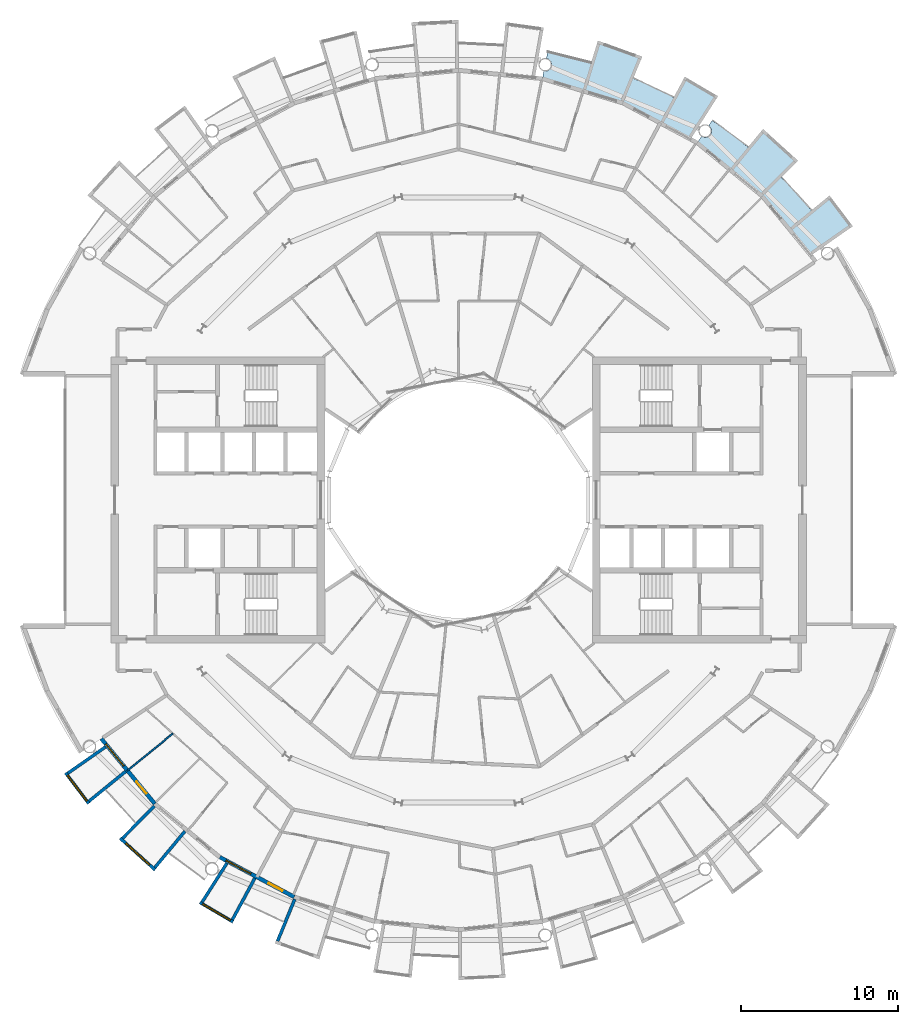
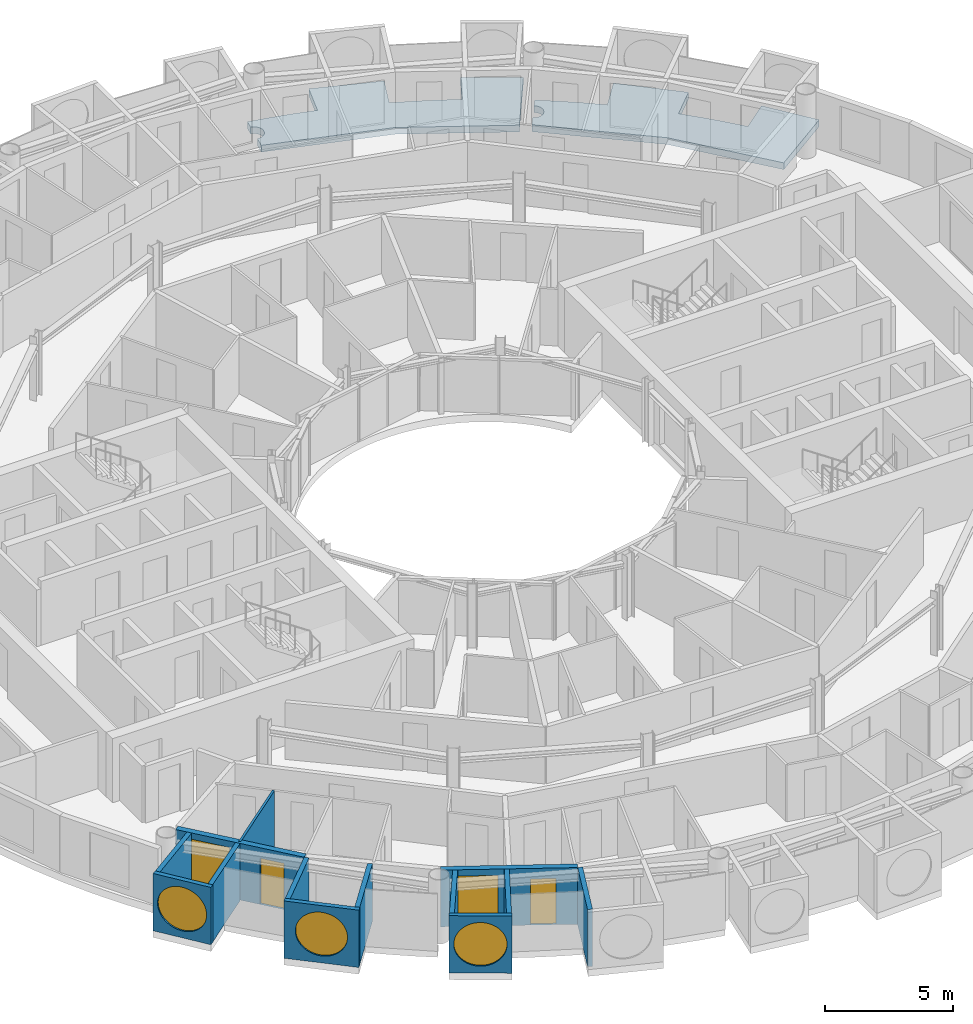
# One storey, part 13 of 27: 13 walls, 5 windows, 2 doors, 2 slabs, 7 openings.
"""IFC4 building model written with IfcOpenShell, lengths in metres."""

from ifc_helpers import new_model, si_unit, direction, frame, frame_2d, origin, place, context, subcontext, project, spatial, polyline, rectangle, circle, outline, extrude, material, layer, layer_set, type_object, element, fill, save


model = new_model("IFC4")

# Units and contexts
model_context = context("Model", 3, precision=1e-05, world=origin(), true_north=direction((0.0, 1.0)))
body_context = subcontext(model_context, "Body", "Model", "MODEL_VIEW")
ifc_project = project(units=[si_unit("LENGTHUNIT", "METRE"), si_unit("AREAUNIT", "SQUARE_METRE"), si_unit("VOLUMEUNIT", "CUBIC_METRE"), si_unit("PLANEANGLEUNIT", "RADIAN"), si_unit("MASSUNIT", "GRAM", prefix="KILO")], contexts=[model_context])

# Site, building, storey
site_placement = place(None, origin())
site = spatial("IfcSite", under=ifc_project, at=site_placement, CompositionType="ELEMENT")
building_placement = place(site_placement, origin())
building = spatial("IfcBuilding", under=site, at=building_placement, Name="Maasbend Ring Residences", CompositionType="ELEMENT")
storey_placement = place(building_placement, frame((0.0, 0.0, 151.300048828125)))
storey = spatial("IfcBuildingStorey", under=building, at=storey_placement, Name="L43", CompositionType="ELEMENT", Elevation=151.300048828125)

# Slabs
ifc_material_1 = material(Name="Concrete C40/50", Category="concrete")
ifc_layer_1 = layer(ifc_material_1, 0.199951171875)
ifc_layer_set_1 = layer_set([ifc_layer_1], Name="Concrete C40/50")
slab_type = type_object("IfcSlabType", Name="SL-LOGGIA", PredefinedType="FLOOR", material=ifc_layer_set_1)
slab_1_placement = place(storey_placement, frame((0.0, 0.0, -0.35009765625)))
element("IfcSlab", 1, at=slab_1_placement, inside=storey, type_object=slab_type, Name="Loggia floor 2", PredefinedType="FLOOR", context=body_context, shape_type="SweptSolid", body=[
    extrude(outline(polyline([(5.451904296875, 27.2548828125), (5.4619140625, 27.25390625), (5.471923828125, 27.2529296875), (5.48193359375, 27.251953125), (5.491943359375, 27.251953125), (5.501953125, 27.251953125), (5.510986328125, 27.251953125), (5.52099609375, 27.251953125), (5.531005859375, 27.2529296875), (5.541015625, 27.25390625), (5.551025390625, 27.2548828125), (5.56103515625, 27.256103515625), (5.571044921875, 27.258056640625), (5.5810546875, 27.259033203125), (5.591064453125, 27.260986328125), (5.60009765625, 27.263916015625), (5.610107421875, 27.26611328125), (5.6201171875, 27.26904296875), (5.62890625, 27.27197265625), (5.637939453125, 27.27490234375), (5.64794921875, 27.279052734375), (5.656982421875, 27.282958984375), (5.666015625, 27.285888671875), (5.675048828125, 27.291015625), (5.68408203125, 27.294921875), (5.693115234375, 27.300048828125), (5.701904296875, 27.303955078125), (5.7099609375, 27.30908203125), (5.718994140625, 27.31494140625), (5.72705078125, 27.320068359375), (5.736083984375, 27.325927734375), (5.743896484375, 27.33203125), (5.751953125, 27.337890625), (5.759033203125, 27.343994140625), (5.76708984375, 27.35009765625), (5.77392578125, 27.35693359375), (5.781982421875, 27.364013671875), (5.7890625, 27.37109375), (5.7958984375, 27.3779296875), (5.802978515625, 27.385009765625), (5.80908203125, 27.39306640625), (5.81591796875, 27.39990234375), (5.822021484375, 27.407958984375), (5.827880859375, 27.416015625), (5.833984375, 27.424072265625), (5.839111328125, 27.431884765625), (5.844970703125, 27.44091796875), (5.85009765625, 27.448974609375), (5.85498046875, 27.4580078125), (5.860107421875, 27.466064453125), (5.864990234375, 27.47509765625), (5.868896484375, 27.48388671875), (5.873046875, 27.492919921875), (5.876953125, 27.5029296875), (5.881103515625, 27.511962890625), (5.884033203125, 27.52099609375), (5.886962890625, 27.531005859375), (5.889892578125, 27.5400390625), (5.89306640625, 27.550048828125), (5.89599609375, 27.55908203125), (5.89794921875, 27.569091796875), (5.89990234375, 27.5791015625), (5.902099609375, 27.589111328125), (5.904052734375, 27.597900390625), (5.905029296875, 27.60791015625), (5.906005859375, 27.617919921875), (5.906982421875, 27.6279296875), (5.907958984375, 27.637939453125), (5.907958984375, 27.64794921875), (5.907958984375, 27.657958984375), (5.907958984375, 27.66796875), (5.907958984375, 27.677978515625), (5.906982421875, 27.68798828125), (5.906005859375, 27.697998046875), (5.905029296875, 27.7080078125), (5.904052734375, 27.718017578125), (5.902099609375, 27.72802734375), (5.89990234375, 27.737060546875), (5.89794921875, 27.7470703125), (5.89599609375, 27.757080078125), (5.89306640625, 27.76708984375), (5.889892578125, 27.77587890625), (5.886962890625, 27.785888671875), (5.884033203125, 27.794921875), (5.881103515625, 27.803955078125), (5.876953125, 27.81396484375), (5.873046875, 27.822998046875), (5.868896484375, 27.83203125), (5.864990234375, 27.841064453125), (5.860107421875, 27.85009765625), (5.85498046875, 27.85791015625), (5.85009765625, 27.866943359375), (5.844970703125, 27.8759765625), (5.839111328125, 27.884033203125), (5.833984375, 27.89208984375), (5.827880859375, 27.89990234375), (5.822021484375, 27.907958984375), (5.81591796875, 27.916015625), (5.80908203125, 27.924072265625), (5.802978515625, 27.930908203125), (5.7958984375, 27.93798828125), (5.7890625, 27.946044921875), (5.781982421875, 27.952880859375), (5.77392578125, 27.958984375), (5.76708984375, 27.966064453125), (5.759033203125, 27.971923828125), (5.751953125, 27.97900390625), (5.743896484375, 27.985107421875), (5.736083984375, 27.989990234375), (5.72705078125, 27.99609375), (5.718994140625, 28.001953125), (5.7099609375, 28.007080078125), (5.701904296875, 28.011962890625), (5.693115234375, 28.01708984375), (5.68408203125, 28.02099609375), (5.675048828125, 28.02587890625), (5.666015625, 28.030029296875), (5.656982421875, 28.033935546875), (5.64794921875, 28.037109375), (5.637939453125, 28.041015625), (5.62890625, 28.0439453125), (5.6201171875, 28.047119140625), (5.610107421875, 28.050048828125), (5.60009765625, 28.052001953125), (5.591064453125, 28.054931640625), (5.5810546875, 28.056884765625), (5.657958984375, 28.443115234375), (5.657958984375, 28.443115234375), (5.657958984375, 28.443115234375), (6.5849609375, 28.241943359375), (6.5849609375, 28.241943359375), (7.506103515625, 28.011962890625), (7.506103515625, 28.011962890625), (8.41796875, 27.7509765625), (8.41796875, 27.7509765625), (8.41796875, 27.7509765625), (8.41796875, 27.7509765625), (8.41796875, 27.7509765625), (8.41796875, 27.7509765625), (8.41796875, 27.7509765625), (8.41796875, 27.7509765625), (8.41796875, 27.7509765625), (8.41796875, 27.7509765625), (8.41796875, 27.751953125), (8.41796875, 27.751953125), (8.41796875, 27.751953125), (8.41796875, 27.751953125), (8.41796875, 27.751953125), (8.41796875, 27.751953125), (8.41796875, 27.751953125), (8.85400390625, 29.18701171875), (8.85400390625, 29.18701171875), (8.85400390625, 29.18701171875), (11.672119140625, 28.177978515625), (11.672119140625, 28.177978515625), (11.672119140625, 28.177978515625), (11.097900390625, 26.79296875), (11.097900390625, 26.79296875), (11.097900390625, 26.79296875), (11.097900390625, 26.79296875), (11.097900390625, 26.79296875), (11.097900390625, 26.79296875), (11.097900390625, 26.79296875), (11.097900390625, 26.79296875), (11.097900390625, 26.79296875), (11.097900390625, 26.79296875), (11.097900390625, 26.7919921875), (11.097900390625, 26.7919921875), (11.097900390625, 26.7919921875), (11.097900390625, 26.7919921875), (11.097900390625, 26.7919921875), (11.097900390625, 26.7919921875), (11.097900390625, 26.7919921875), (11.968994140625, 26.4150390625), (11.968994140625, 26.4150390625), (12.825927734375, 26.009033203125), (12.825927734375, 26.009033203125), (13.669921875, 25.575927734375), (13.669921875, 25.575927734375), (13.669921875, 25.575927734375), (13.669921875, 25.575927734375), (13.669921875, 25.575927734375), (13.669921875, 25.575927734375), (13.669921875, 25.575927734375), (13.669921875, 25.575927734375), (13.669921875, 25.575927734375), (13.669921875, 25.575927734375), (13.6708984375, 25.575927734375), (13.6708984375, 25.575927734375), (13.6708984375, 25.575927734375), (13.6708984375, 25.575927734375), (13.6708984375, 25.575927734375), (13.6708984375, 25.575927734375), (13.6708984375, 25.575927734375), (14.3779296875, 26.89892578125), (14.3779296875, 26.89892578125), (14.3779296875, 26.89892578125), (16.487060546875, 25.659912109375), (16.487060546875, 25.659912109375), (16.487060546875, 25.659912109375), (14.73291015625, 22.930908203125), (14.73291015625, 22.930908203125), (14.73291015625, 22.930908203125), (12.806884765625, 23.9609375), (10.447021484375, 25.221923828125), (10.447021484375, 25.221923828125), (10.447021484375, 25.221923828125), (7.886962890625, 25.9990234375), (5.325927734375, 26.77490234375), (5.325927734375, 26.77490234375), (5.325927734375, 26.77490234375), (5.422119140625, 27.259033203125), (5.431884765625, 27.258056640625), (5.44189453125, 27.256103515625), (5.451904296875, 27.2548828125)])), origin(), (0.0, 0.0, 1.0), 0.320068359375),
])
slab_2_placement = place(storey_placement, frame((0.0, 0.0, -0.35009765625)))
element("IfcSlab", 2, at=slab_2_placement, inside=storey, type_object=slab_type, Name="Loggia floor 5", PredefinedType="FLOOR", context=body_context, shape_type="SweptSolid", body=[
    extrude(outline(polyline([(15.4580078125, 23.09912109375), (15.467041015625, 23.093994140625), (15.47509765625, 23.089111328125), (15.48388671875, 23.083984375), (15.492919921875, 23.080078125), (15.501953125, 23.075927734375), (15.511962890625, 23.072021484375), (15.52099609375, 23.068115234375), (15.530029296875, 23.06494140625), (15.5400390625, 23.06103515625), (15.549072265625, 23.05810546875), (15.55908203125, 23.055908203125), (15.568115234375, 23.052978515625), (15.577880859375, 23.051025390625), (15.587890625, 23.049072265625), (15.597900390625, 23.047119140625), (15.60693359375, 23.044921875), (15.616943359375, 23.0439453125), (15.626953125, 23.04296875), (15.636962890625, 23.0419921875), (15.64697265625, 23.041015625), (15.656982421875, 23.041015625), (15.6669921875, 23.041015625), (15.677001953125, 23.041015625), (15.68701171875, 23.041015625), (15.697021484375, 23.0419921875), (15.70703125, 23.04296875), (15.717041015625, 23.0439453125), (15.72705078125, 23.044921875), (15.737060546875, 23.047119140625), (15.74609375, 23.049072265625), (15.756103515625, 23.051025390625), (15.76611328125, 23.052978515625), (15.77587890625, 23.055908203125), (15.784912109375, 23.05810546875), (15.794921875, 23.06103515625), (15.803955078125, 23.06494140625), (15.81298828125, 23.068115234375), (15.822998046875, 23.072021484375), (15.83203125, 23.075927734375), (15.841064453125, 23.080078125), (15.85009765625, 23.083984375), (15.85888671875, 23.089111328125), (15.866943359375, 23.093994140625), (15.8759765625, 23.09912109375), (15.885009765625, 23.10400390625), (15.89306640625, 23.10888671875), (15.90087890625, 23.114990234375), (15.908935546875, 23.12109375), (15.9169921875, 23.126953125), (15.925048828125, 23.133056640625), (15.93310546875, 23.139892578125), (15.93994140625, 23.14599609375), (15.947021484375, 23.153076171875), (15.955078125, 23.159912109375), (15.9619140625, 23.1669921875), (15.968017578125, 23.174072265625), (15.97509765625, 23.181884765625), (15.98095703125, 23.18994140625), (15.988037109375, 23.197021484375), (15.993896484375, 23.205078125), (15.9990234375, 23.212890625), (16.0048828125, 23.221923828125), (16.010986328125, 23.22998046875), (16.01611328125, 23.238037109375), (16.02099609375, 23.2470703125), (16.02587890625, 23.256103515625), (16.030029296875, 23.264892578125), (16.034912109375, 23.27392578125), (16.0390625, 23.282958984375), (16.04296875, 23.2919921875), (16.0458984375, 23.301025390625), (16.050048828125, 23.31005859375), (16.052978515625, 23.320068359375), (16.055908203125, 23.3291015625), (16.05908203125, 23.339111328125), (16.06103515625, 23.34912109375), (16.06396484375, 23.35791015625), (16.06591796875, 23.367919921875), (16.068115234375, 23.3779296875), (16.069091796875, 23.387939453125), (16.071044921875, 23.39794921875), (16.072021484375, 23.407958984375), (16.072021484375, 23.4169921875), (16.072998046875, 23.427001953125), (16.072998046875, 23.43701171875), (16.073974609375, 23.447021484375), (16.072998046875, 23.45703125), (16.072998046875, 23.467041015625), (16.072021484375, 23.47705078125), (16.072021484375, 23.487060546875), (16.071044921875, 23.4970703125), (16.069091796875, 23.507080078125), (16.068115234375, 23.51708984375), (16.06591796875, 23.527099609375), (16.06396484375, 23.535888671875), (16.06103515625, 23.5458984375), (16.05908203125, 23.555908203125), (16.055908203125, 23.56494140625), (16.052978515625, 23.574951171875), (16.050048828125, 23.583984375), (16.0458984375, 23.593994140625), (16.04296875, 23.60302734375), (16.0390625, 23.612060546875), (16.034912109375, 23.62109375), (16.030029296875, 23.6298828125), (16.02587890625, 23.638916015625), (16.02099609375, 23.64794921875), (16.01611328125, 23.656005859375), (16.010986328125, 23.6650390625), (16.0048828125, 23.673095703125), (15.9990234375, 23.680908203125), (15.993896484375, 23.68994140625), (15.988037109375, 23.697021484375), (15.98095703125, 23.705078125), (15.97509765625, 23.712890625), (15.968017578125, 23.719970703125), (15.9619140625, 23.72802734375), (15.955078125, 23.735107421875), (15.947021484375, 23.741943359375), (15.93994140625, 23.7490234375), (15.93310546875, 23.7548828125), (15.925048828125, 23.761962890625), (15.9169921875, 23.76806640625), (15.908935546875, 23.77392578125), (15.90087890625, 23.780029296875), (15.89306640625, 23.784912109375), (15.89306640625, 23.784912109375), (16.112060546875, 24.113037109375), (16.112060546875, 24.113037109375), (16.112060546875, 24.113037109375), (16.89208984375, 23.572998046875), (16.89208984375, 23.572998046875), (17.654052734375, 23.007080078125), (17.654052734375, 23.007080078125), (18.39697265625, 22.41796875), (18.39697265625, 22.41796875), (18.39697265625, 22.41796875), (18.39697265625, 22.41796875), (18.39697265625, 22.41796875), (18.39697265625, 22.41796875), (18.39697265625, 22.41796875), (18.39697265625, 22.41796875), (18.39697265625, 22.41796875), (18.39697265625, 22.41796875), (18.39697265625, 22.41796875), (18.39794921875, 22.41796875), (18.39794921875, 22.41796875), (18.39794921875, 22.41796875), (18.39794921875, 22.41796875), (18.39794921875, 22.41796875), (18.39794921875, 22.41796875), (19.34912109375, 23.576904296875), (19.34912109375, 23.576904296875), (19.34912109375, 23.576904296875), (21.56689453125, 21.56689453125), (21.56689453125, 21.56689453125), (21.56689453125, 21.56689453125), (20.506103515625, 20.506103515625), (20.506103515625, 20.506103515625), (20.506103515625, 20.506103515625), (20.506103515625, 20.506103515625), (20.506103515625, 20.506103515625), (20.506103515625, 20.506103515625), (20.506103515625, 20.506103515625), (20.506103515625, 20.506103515625), (20.506103515625, 20.506103515625), (20.506103515625, 20.506103515625), (20.506103515625, 20.506103515625), (20.506103515625, 20.506103515625), (20.506103515625, 20.506103515625), (20.506103515625, 20.506103515625), (20.506103515625, 20.506103515625), (20.506103515625, 20.506103515625), (20.506103515625, 20.506103515625), (21.166015625, 19.823974609375), (21.166015625, 19.823974609375), (21.802978515625, 19.12109375), (21.802978515625, 19.12109375), (22.4169921875, 18.39794921875), (22.4169921875, 18.39794921875), (22.4169921875, 18.39794921875), (22.4169921875, 18.39794921875), (22.4169921875, 18.39794921875), (22.4169921875, 18.39794921875), (22.4169921875, 18.39794921875), (22.4169921875, 18.39794921875), (22.4169921875, 18.39794921875), (22.4169921875, 18.39794921875), (22.4169921875, 18.39794921875), (22.4169921875, 18.39794921875), (22.41796875, 18.39794921875), (22.41796875, 18.39794921875), (22.41796875, 18.39794921875), (22.41796875, 18.39794921875), (22.41796875, 18.39794921875), (23.576904296875, 19.34912109375), (23.576904296875, 19.34912109375), (23.576904296875, 19.34912109375), (25.051025390625, 17.39794921875), (25.051025390625, 17.39794921875), (25.051025390625, 17.39794921875), (22.386962890625, 15.547119140625), (22.386962890625, 15.547119140625), (22.386962890625, 15.547119140625), (21.001953125, 17.236083984375), (19.303955078125, 19.303955078125), (19.303955078125, 19.303955078125), (19.303955078125, 19.303955078125), (17.236083984375, 21.001953125), (15.1669921875, 22.698974609375), (15.1669921875, 22.698974609375), (15.1669921875, 22.698974609375), (15.44091796875, 23.10888671875), (15.44091796875, 23.10888671875), (15.449951171875, 23.10400390625), (15.4580078125, 23.09912109375)])), origin(), (0.0, 0.0, 1.0), 0.320068359375),
])

# Wall, opening, window
ifc_material_2 = material(Name="Pale anodised aluminium panel", Category="aluminium")
ifc_layer_2 = layer(ifc_material_2, 0.199951171875)
ifc_layer_set_2 = layer_set([ifc_layer_2], Name="EW-BOX")
wall_type_1 = type_object("IfcWallType", Name="EW-BOX", PredefinedType="SOLIDWALL", material=ifc_layer_set_2)
wall_1_placement = place(storey_placement, frame((-24.971923828125, -17.3369140625, -0.030029296875), z_axis=(0.0, 0.0, 1.0), x_axis=(0.602806268067, -0.797887588059, 0.0)))
wall_1 = element("IfcWall", 3, at=wall_1_placement, inside=storey, type_object=wall_type_1, Name="Box front S01", PredefinedType="SOLIDWALL", context=body_context, shape_type="SweptSolid", body=[
    extrude(rectangle(XDim=2.446533203125, YDim=0.199951171875, at=frame_2d((1.22314453125, 0.0))), origin(), (0.0, 0.0, 1.0), 2.72998046875),
])
opening_1_placement = place(wall_1_placement, frame((0.182861328125, 0.0, 0.330078125)))
opening_1 = element("IfcOpeningElement", 4, at=opening_1_placement, cuts=wall_1, Name="Opening W-RD", PredefinedType="OPENING", context=body_context, shape_type="SweptSolid", body=[
    extrude(circle(Radius=1.0400390625, at=frame_2d((1.0400390625, 1.0400390625))), frame((0.0, 0.10986328125, 0.0), z_axis=(0.0, -1.0, 0.0), x_axis=(1.0, 0.0, 0.0)), (0.0, 0.0, 1.0), 0.219970703125),
])
ifc_material_3 = material(Name="Aluminium and clear glass", Category="aluminium")
window_type_1 = type_object("IfcWindowType", Name="W-RD", PartitioningType="SINGLE_PANEL", PredefinedType="WINDOW", material=ifc_material_3)
window_1_placement = place(opening_1_placement, origin())
window_1 = element("IfcWindow", 5, at=window_1_placement, inside=storey, type_object=window_type_1, Name="Round window S01", OverallHeight=2.080078125, OverallWidth=2.080078125, PartitioningType="SINGLE_PANEL", PredefinedType="WINDOW", context=body_context, shape_type="SweptSolid", body=[
    extrude(circle(Radius=1.0400390625, at=frame_2d((1.0400390625, 1.0400390625))), frame((0.0, 0.030029296875, 0.0), z_axis=(0.0, -1.0, 0.0), x_axis=(1.0, 0.0, 0.0)), (0.0, 0.0, 1.0), 0.06005859375),
])
fill(opening_1, window_1)

# Walls
wall_2_placement = place(storey_placement, frame((-22.43310546875, -15.68798828125, -0.030029296875), z_axis=(0.0, 0.0, 1.0), x_axis=(-0.819373043115, -0.573260687834, 0.0)))
element("IfcWall", 6, at=wall_2_placement, inside=storey, type_object=wall_type_1, Name="Box side wall S01 left", PredefinedType="SOLIDWALL", context=body_context, shape_type="SweptSolid", body=[
    extrude(rectangle(XDim=2.92529296875, YDim=0.199951171875, at=frame_2d((1.462646484375, 0.0))), origin(), (0.0, 0.0, 1.0), 2.72998046875),
])
wall_3_placement = place(storey_placement, frame((-21.155029296875, -17.24609375, -0.030029296875), z_axis=(0.0, 0.0, 1.0), x_axis=(-0.775179004516, -0.631741648902, 0.0)))
element("IfcWall", 7, at=wall_3_placement, inside=storey, type_object=wall_type_1, Name="Box side wall S01 right", PredefinedType="SOLIDWALL", context=body_context, shape_type="SweptSolid", body=[
    extrude(rectangle(XDim=3.005859375, YDim=0.199951171875, at=frame_2d((1.5029296875, 0.0))), origin(), (0.0, 0.0, 1.0), 2.72998046875),
])

# Wall, opening, window
wall_4_placement = place(storey_placement, frame((-21.5, -21.492919921875, -0.030029296875), z_axis=(0.0, 0.0, 1.0), x_axis=(0.740998365753, -0.671506829416, 0.0)))
wall_4 = element("IfcWall", 8, at=wall_4_placement, inside=storey, type_object=wall_type_1, Name="Box front S03", PredefinedType="SOLIDWALL", context=body_context, shape_type="SweptSolid", body=[
    extrude(rectangle(XDim=2.9931640625, YDim=0.199951171875, at=frame_2d((1.49658203125, 0.0))), origin(), (0.0, 0.0, 1.0), 2.72998046875),
])
opening_2_placement = place(wall_4_placement, frame((0.45654296875, 0.0, 0.330078125)))
opening_2 = element("IfcOpeningElement", 9, at=opening_2_placement, cuts=wall_4, Name="Opening W-RD", PredefinedType="OPENING", context=body_context, shape_type="SweptSolid", body=[
    extrude(circle(Radius=1.0400390625, at=frame_2d((1.0400390625, 1.0400390625))), frame((0.0, 0.10986328125, 0.0), z_axis=(0.0, -1.0, 0.0), x_axis=(1.0, 0.0, 0.0)), (0.0, 0.0, 1.0), 0.219970703125),
])
window_2_placement = place(opening_2_placement, origin())
window_2 = element("IfcWindow", 10, at=window_2_placement, inside=storey, type_object=window_type_1, Name="Round window S03", OverallHeight=2.080078125, OverallWidth=2.080078125, PartitioningType="SINGLE_PANEL", PredefinedType="WINDOW", context=body_context, shape_type="SweptSolid", body=[
    extrude(circle(Radius=1.0400390625, at=frame_2d((1.0400390625, 1.0400390625))), frame((0.0, 0.030029296875, 0.0), z_axis=(0.0, -1.0, 0.0), x_axis=(1.0, 0.0, 0.0)), (0.0, 0.0, 1.0), 0.06005859375),
])
fill(opening_2, window_2)

# Walls
wall_5_placement = place(storey_placement, frame((-19.322998046875, -19.449951171875, -0.030029296875), z_axis=(0.0, 0.0, 1.0), x_axis=(-0.704476739375, -0.709727076896, 0.0)))
element("IfcWall", 11, at=wall_5_placement, inside=storey, type_object=wall_type_1, Name="Box side wall S03 left", PredefinedType="SOLIDWALL", context=body_context, shape_type="SweptSolid", body=[
    extrude(rectangle(XDim=2.883056640625, YDim=0.199951171875, at=frame_2d((1.44140625, 0.0))), origin(), (0.0, 0.0, 1.0), 2.72998046875),
])
wall_6_placement = place(storey_placement, frame((-17.384033203125, -21.041015625, -0.030029296875), z_axis=(0.0, 0.0, 1.0), x_axis=(-0.63709551667, -0.770784861449, 0.0)))
element("IfcWall", 12, at=wall_6_placement, inside=storey, type_object=wall_type_1, Name="Box side wall S03 right", PredefinedType="SOLIDWALL", context=body_context, shape_type="SweptSolid", body=[
    extrude(rectangle(XDim=3.005859375, YDim=0.199951171875, at=frame_2d((1.5029296875, 0.0))), origin(), (0.0, 0.0, 1.0), 2.72998046875),
])

# Wall, opening, window
wall_7_placement = place(storey_placement, frame((-16.43603515625, -25.573974609375, -0.030029296875), z_axis=(0.0, 0.0, 1.0), x_axis=(0.862403467503, -0.506221551535, 0.0)))
wall_7 = element("IfcWall", 13, at=wall_7_placement, inside=storey, type_object=wall_type_1, Name="Box front S05", PredefinedType="SOLIDWALL", context=body_context, shape_type="SweptSolid", body=[
    extrude(rectangle(XDim=2.445556640625, YDim=0.199951171875, at=frame_2d((1.22265625, 0.0))), origin(), (0.0, 0.0, 1.0), 2.72998046875),
])
opening_3_placement = place(wall_7_placement, frame((0.182861328125, 0.0, 0.330078125)))
opening_3 = element("IfcOpeningElement", 14, at=opening_3_placement, cuts=wall_7, Name="Opening W-RD", PredefinedType="OPENING", context=body_context, shape_type="SweptSolid", body=[
    extrude(circle(Radius=1.0400390625, at=frame_2d((1.0400390625, 1.0400390625))), frame((0.0, 0.10986328125, 0.0), z_axis=(0.0, -1.0, 0.0), x_axis=(1.0, 0.0, 0.0)), (0.0, 0.0, 1.0), 0.219970703125),
])
window_3_placement = place(opening_3_placement, origin())
window_3 = element("IfcWindow", 15, at=window_3_placement, inside=storey, type_object=window_type_1, Name="Round window S05", OverallHeight=2.080078125, OverallWidth=2.080078125, PartitioningType="SINGLE_PANEL", PredefinedType="WINDOW", context=body_context, shape_type="SweptSolid", body=[
    extrude(circle(Radius=1.0400390625, at=frame_2d((1.0400390625, 1.0400390625))), frame((0.0, 0.030029296875, 0.0), z_axis=(0.0, -1.0, 0.0), x_axis=(1.0, 0.0, 0.0)), (0.0, 0.0, 1.0), 0.06005859375),
])
fill(opening_3, window_3)

# Walls
wall_8_placement = place(storey_placement, frame((-14.721923828125, -23.0791015625, -0.030029296875), z_axis=(0.0, 0.0, 1.0), x_axis=(-0.537572179146, -0.843217737129, 0.0)))
element("IfcWall", 16, at=wall_8_placement, inside=storey, type_object=wall_type_1, Name="Box side wall S05 left", PredefinedType="SOLIDWALL", context=body_context, shape_type="SweptSolid", body=[
    extrude(rectangle(XDim=2.92431640625, YDim=0.199951171875, at=frame_2d((1.462158203125, 0.0))), origin(), (0.0, 0.0, 1.0), 2.72998046875),
])
wall_9_placement = place(storey_placement, frame((-12.945068359375, -24.029052734375, -0.030029296875), z_axis=(0.0, 0.0, 1.0), x_axis=(-0.474424310775, -0.88029629861, 0.0)))
element("IfcWall", 17, at=wall_9_placement, inside=storey, type_object=wall_type_1, Name="Box side wall S05 right", PredefinedType="SOLIDWALL", context=body_context, shape_type="SweptSolid", body=[
    extrude(rectangle(XDim=3.005859375, YDim=0.199951171875, at=frame_2d((1.5029296875, 0.0))), origin(), (0.0, 0.0, 1.0), 2.72998046875),
])
wall_10_placement = place(storey_placement, frame((-10.408935546875, -25.364013671875, -0.030029296875), z_axis=(0.0, 0.0, 1.0), x_axis=(-0.379509886562, -0.925187681501, 0.0)))
element("IfcWall", 18, at=wall_10_placement, inside=storey, type_object=wall_type_1, Name="Box side wall S07 left", PredefinedType="SOLIDWALL", context=body_context, shape_type="SweptSolid", body=[
    extrude(rectangle(XDim=2.882568359375, YDim=0.199951171875, at=frame_2d((1.44140625, 0.0))), origin(), (0.0, 0.0, 1.0), 2.72998046875),
])

# Wall, openings, door, window
ifc_material_4 = material(Name="Aluminium clad insulated panel", Category="aluminium")
ifc_layer_3 = layer(ifc_material_4, 0.25)
ifc_layer_set_3 = layer_set([ifc_layer_3], Name="EW-GL")
wall_type_2 = type_object("IfcWallType", Name="EW-GL", PredefinedType="SOLIDWALL", material=ifc_layer_set_3)
wall_11_placement = place(storey_placement, frame((-22.698974609375, -15.1669921875, 0.0), z_axis=(0.0, 0.0, 1.0), x_axis=(0.634382322723, -0.773019449054, 0.0)))
wall_11 = element("IfcWall", 19, at=wall_11_placement, inside=storey, type_object=wall_type_2, Name="External wall S01", PredefinedType="SOLIDWALL", context=body_context, shape_type="SweptSolid", body=[
    extrude(rectangle(XDim=5.351806640625, YDim=0.25, at=frame_2d((2.67578125, 0.0))), origin(), (0.0, 0.0, 1.0), 2.699951171875),
])
opening_4_placement = place(wall_11_placement, frame((0.441162109375, 0.0, 0.300048828125)))
opening_4 = element("IfcOpeningElement", 20, at=opening_4_placement, cuts=wall_11, Name="Opening W-BX", PredefinedType="OPENING", context=body_context, shape_type="SweptSolid", body=[
    extrude(rectangle(XDim=1.800048828125, YDim=2.10009765625, at=frame_2d((0.89990234375, 1.050048828125))), frame((0.0, 0.135009765625, 0.0), z_axis=(0.0, -1.0, 0.0), x_axis=(1.0, 0.0, 0.0)), (0.0, 0.0, 1.0), 0.27001953125),
])
opening_5_placement = place(wall_11_placement, frame((3.510498046875, 0.0, 0.0)))
opening_5 = element("IfcOpeningElement", 21, at=opening_5_placement, cuts=wall_11, Name="Opening D-LG", PredefinedType="OPENING", context=body_context, shape_type="SweptSolid", body=[
    extrude(rectangle(XDim=1.0, YDim=2.199951171875, at=frame_2d((0.5, 1.10009765625))), frame((0.0, 0.135009765625, 0.0), z_axis=(0.0, -1.0, 0.0), x_axis=(1.0, 0.0, 0.0)), (0.0, 0.0, 1.0), 0.27001953125),
])
ifc_material_5 = material(Name="Aluminium and clear glass", Category="aluminium")
door_type = type_object("IfcDoorType", Name="D-LG", OperationType="SINGLE_SWING_LEFT", PredefinedType="DOOR", material=ifc_material_5)
door_1_placement = place(opening_5_placement, origin())
door_1 = element("IfcDoor", 22, at=door_1_placement, inside=storey, type_object=door_type, Name="Loggia door S02", OperationType="SINGLE_SWING_LEFT", OverallHeight=2.199951171875, OverallWidth=1.0, PredefinedType="DOOR", context=body_context, shape_type="SweptSolid", body=[
    extrude(rectangle(XDim=1.0, YDim=2.199951171875, at=frame_2d((0.5, 1.10009765625))), frame((0.0, 0.02490234375, 0.0), z_axis=(0.0, -1.0, 0.0), x_axis=(1.0, 0.0, 0.0)), (0.0, 0.0, 1.0), 0.050048828125),
])
fill(opening_5, door_1)
ifc_material_6 = material(Name="Aluminium and clear glass", Category="aluminium")
window_type_2 = type_object("IfcWindowType", Name="W-BX", PartitioningType="DOUBLE_PANEL_VERTICAL", PredefinedType="WINDOW", material=ifc_material_6)
window_4_placement = place(opening_4_placement, origin())
window_4 = element("IfcWindow", 23, at=window_4_placement, inside=storey, type_object=window_type_2, Name="Window S01 room to box", OverallHeight=2.10009765625, OverallWidth=1.800048828125, PartitioningType="SINGLE_PANEL", PredefinedType="WINDOW", context=body_context, shape_type="SweptSolid", body=[
    extrude(rectangle(XDim=1.800048828125, YDim=2.10009765625, at=frame_2d((0.89990234375, 1.050048828125))), frame((0.0, 0.030029296875, 0.0), z_axis=(0.0, -1.0, 0.0), x_axis=(1.0, 0.0, 0.0)), (0.0, 0.0, 1.0), 0.06005859375),
])
fill(opening_4, window_4)

wall_12_placement = place(storey_placement, frame((-15.1669921875, -22.698974609375, 0.0), z_axis=(0.0, 0.0, 1.0), x_axis=(0.881915646801, -0.471407246368, 0.0)))
wall_12 = element("IfcWall", 24, at=wall_12_placement, inside=storey, type_object=wall_type_2, Name="External wall S03", PredefinedType="SOLIDWALL", context=body_context, shape_type="SweptSolid", body=[
    extrude(rectangle(XDim=5.35205078125, YDim=0.25, at=frame_2d((2.676025390625, 0.0))), origin(), (0.0, 0.0, 1.0), 2.699951171875),
])
opening_6_placement = place(wall_12_placement, frame((0.441162109375, 0.0, 0.300048828125)))
opening_6 = element("IfcOpeningElement", 25, at=opening_6_placement, cuts=wall_12, Name="Opening W-BX", PredefinedType="OPENING", context=body_context, shape_type="SweptSolid", body=[
    extrude(rectangle(XDim=1.800048828125, YDim=2.10009765625, at=frame_2d((0.89990234375, 1.050048828125))), frame((0.0, 0.135009765625, 0.0), z_axis=(0.0, -1.0, 0.0), x_axis=(1.0, 0.0, 0.0)), (0.0, 0.0, 1.0), 0.27001953125),
])
opening_7_placement = place(wall_12_placement, frame((3.510498046875, 0.0, 0.0)))
opening_7 = element("IfcOpeningElement", 26, at=opening_7_placement, cuts=wall_12, Name="Opening D-LG", PredefinedType="OPENING", context=body_context, shape_type="SweptSolid", body=[
    extrude(rectangle(XDim=1.0, YDim=2.199951171875, at=frame_2d((0.5, 1.10009765625))), frame((0.0, 0.135009765625, 0.0), z_axis=(0.0, -1.0, 0.0), x_axis=(1.0, 0.0, 0.0)), (0.0, 0.0, 1.0), 0.27001953125),
])
door_2_placement = place(opening_7_placement, origin())
door_2 = element("IfcDoor", 27, at=door_2_placement, inside=storey, type_object=door_type, Name="Loggia door S06", OperationType="SINGLE_SWING_LEFT", OverallHeight=2.199951171875, OverallWidth=1.0, PredefinedType="DOOR", context=body_context, shape_type="SweptSolid", body=[
    extrude(rectangle(XDim=1.0, YDim=2.199951171875, at=frame_2d((0.5, 1.10009765625))), frame((0.0, 0.02490234375, 0.0), z_axis=(0.0, -1.0, 0.0), x_axis=(1.0, 0.0, 0.0)), (0.0, 0.0, 1.0), 0.050048828125),
])
fill(opening_7, door_2)
window_5_placement = place(opening_6_placement, origin())
window_5 = element("IfcWindow", 28, at=window_5_placement, inside=storey, type_object=window_type_2, Name="Window S05 room to box", OverallHeight=2.10009765625, OverallWidth=1.800048828125, PartitioningType="SINGLE_PANEL", PredefinedType="WINDOW", context=body_context, shape_type="SweptSolid", body=[
    extrude(rectangle(XDim=1.800048828125, YDim=2.10009765625, at=frame_2d((0.89990234375, 1.050048828125))), frame((0.0, 0.030029296875, 0.0), z_axis=(0.0, -1.0, 0.0), x_axis=(1.0, 0.0, 0.0)), (0.0, 0.0, 1.0), 0.06005859375),
])
fill(opening_6, window_5)

# Wall
ifc_material_7 = material(Name="Gypsum board on steel studs", Category="steel")
ifc_layer_4 = layer(ifc_material_7, 0.10009765625)
ifc_layer_set_4 = layer_set([ifc_layer_4], Name="PARTITION 100 GYPSUM")
wall_type_3 = type_object("IfcWallType", Name="PARTITION 100 GYPSUM", PredefinedType="PARTITIONING", material=ifc_layer_set_4)
wall_13_placement = place(storey_placement, frame((-21.0400390625, -17.198974609375, 0.0), z_axis=(0.0, 0.0, 1.0), x_axis=(0.774321581607, 0.63279229472, 0.0)))
element("IfcWall", 29, at=wall_13_placement, inside=storey, type_object=wall_type_3, Name="U-L43-w036", PredefinedType="PARTITIONING", context=body_context, shape_type="SweptSolid", body=[
    extrude(rectangle(XDim=3.731201171875, YDim=0.10009765625, at=frame_2d((1.86572265625, 0.0))), origin(), (0.0, 0.0, 1.0), 2.699951171875),
])

save(model, "model.ifc")
